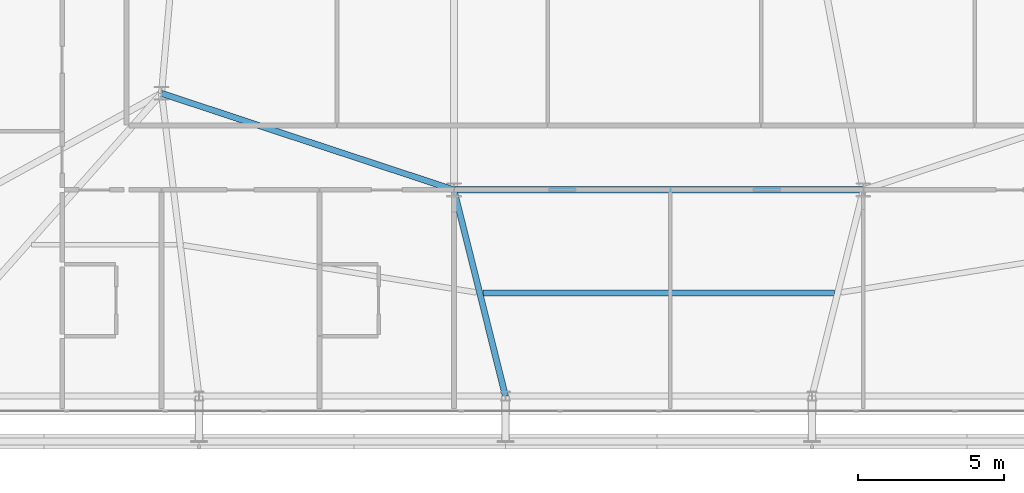
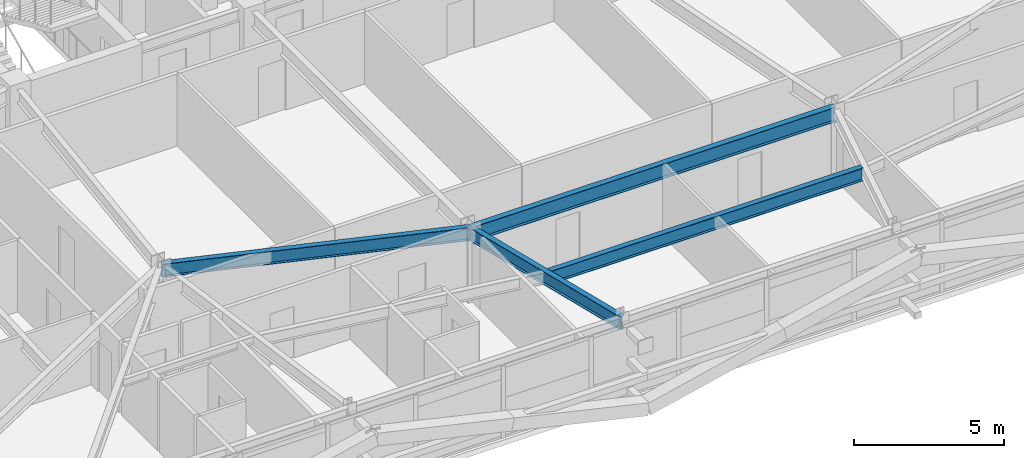
# One storey, part 13 of 58: 4 beams.
"""IFC4 building model written with IfcOpenShell, lengths in metres."""

from ifc_helpers import new_model, si_unit, direction, frame, origin, origin_2d, place, context, subcontext, project, spatial, i_section, extrude, source, transform, mapped, material, material_profile, profile_set, type_object, element, save


model = new_model("IFC4")

# Units and contexts
model_context = context("Model", 3, precision=1e-05, world=origin(), true_north=direction((0.0, 1.0)))
body_context = subcontext(model_context, "Body", "Model", "MODEL_VIEW")
ifc_project = project(units=[si_unit("LENGTHUNIT", "METRE"), si_unit("AREAUNIT", "SQUARE_METRE"), si_unit("VOLUMEUNIT", "CUBIC_METRE"), si_unit("PLANEANGLEUNIT", "RADIAN"), si_unit("MASSUNIT", "GRAM", prefix="KILO")], contexts=[model_context])

# Site, building, storey
site_placement = place(None, origin())
site = spatial("IfcSite", under=ifc_project, at=site_placement, CompositionType="ELEMENT")
building_placement = place(site_placement, origin())
building = spatial("IfcBuilding", under=site, at=building_placement, Name="Taldren Reach Tower", CompositionType="ELEMENT")
storey_placement = place(building_placement, frame((0.0, 0.0, 35.699951171875)))
storey = spatial("IfcBuildingStorey", under=building, at=storey_placement, Name="L10", CompositionType="ELEMENT", Elevation=35.699951171875)

# Beams
ifc_material = material(Name="Steel Gr 350 (350PLUS)", Category="steel")
ifc_material_profile_1 = material_profile(ifc_material, i_section(OverallWidth=0.208984375, OverallDepth=0.532958984375, WebThickness=0.01025390625, FlangeThickness=0.015625, at=origin_2d()), Name="530UB92.4")
ifc_profile_set_1 = profile_set([ifc_material_profile_1], Name="Steel Gr 350 (350PLUS)")
beam_type_1 = type_object("IfcBeamType", Name="BM-UB530A", PredefinedType="BEAM", material=ifc_profile_set_1)
shared_shape_1 = source(origin(), body_context, "Body", "SweptSolid", [
    extrude(i_section(OverallWidth=0.208984375, OverallDepth=0.532958984375, WebThickness=0.01025390625, FlangeThickness=0.015625, at=origin_2d()), origin(), (0.0, 0.0, 1.0), 10.530517578125),
])
beam_1_placement = place(storey_placement, frame((18.0, 12.5, 2.66357421875), z_axis=(0.949627269203, -0.313381635689, 0.0), x_axis=(0.313381635689, 0.949627269203, 0.0)))
element("IfcBeam", 1, at=beam_1_placement, inside=storey, type_object=beam_type_1, Name="Core-spine girder L10-SP10", PredefinedType="BEAM", context=body_context, shape_type="MappedRepresentation", body=[
    mapped(shared_shape_1, transform((0.0, 0.0, 0.0), scale=1.0)),
])
ifc_material_profile_2 = material_profile(ifc_material, i_section(OverallWidth=0.22802734375, OverallDepth=0.60205078125, WebThickness=0.010498046875, FlangeThickness=0.014892578125, at=origin_2d()), Name="610UB101")
ifc_profile_set_2 = profile_set([ifc_material_profile_2], Name="Steel Gr 350 (350PLUS)")
beam_type_2 = type_object("IfcBeamType", Name="BM-UB610B", PredefinedType="BEAM", material=ifc_profile_set_2)
shared_shape_2 = source(origin(), body_context, "Body", "SweptSolid", [
    extrude(i_section(OverallWidth=0.22802734375, OverallDepth=0.60205078125, WebThickness=0.010498046875, FlangeThickness=0.014892578125, at=origin_2d()), origin(), (0.0, 0.0, 1.0), 14.0),
])
beam_2_placement = place(storey_placement, frame((28.0, 9.199951171875, 2.629150390625), z_axis=(1.0, 0.0, 0.0), x_axis=(0.0, 1.0, 0.0)))
element("IfcBeam", 2, at=beam_2_placement, inside=storey, type_object=beam_type_2, Name="Core-spine girder L10-SP11", PredefinedType="BEAM", context=body_context, shape_type="MappedRepresentation", body=[
    mapped(shared_shape_2, transform((0.0, 0.0, 0.0), scale=1.0)),
])
shared_shape_3 = source(origin(), body_context, "Body", "SweptSolid", [
    extrude(i_section(OverallWidth=0.208984375, OverallDepth=0.532958984375, WebThickness=0.01025390625, FlangeThickness=0.015625, at=origin_2d()), origin(), (0.0, 0.0, 1.0), 7.266357421875),
])
beam_3_placement = place(storey_placement, frame((28.0, 9.199951171875, 2.66357421875), z_axis=(0.24221148493, -0.970223477642, 0.0), x_axis=(0.970223477642, 0.24221148493, 0.0)))
element("IfcBeam", 3, at=beam_3_placement, inside=storey, type_object=beam_type_1, Name="Primary floor girder B1-S3 L10", PredefinedType="BEAM", context=body_context, shape_type="MappedRepresentation", body=[
    mapped(shared_shape_3, transform((0.0, 0.0, 0.0), scale=1.0)),
])
shared_shape_4 = source(origin(), body_context, "Body", "SweptSolid", [
    extrude(i_section(OverallWidth=0.208984375, OverallDepth=0.532958984375, WebThickness=0.01025390625, FlangeThickness=0.015625, at=origin_2d()), origin(), (0.0, 0.0, 1.0), 12.0244140625),
])
beam_4_placement = place(storey_placement, frame((28.98779296875, 5.675048828125, 2.66357421875), z_axis=(1.0, 0.0, 0.0), x_axis=(0.0, 1.0, 0.0)))
element("IfcBeam", 4, at=beam_4_placement, inside=storey, type_object=beam_type_1, Name="Secondary floor beam B1 J3 L10", PredefinedType="BEAM", context=body_context, shape_type="MappedRepresentation", body=[
    mapped(shared_shape_4, transform((0.0, 0.0, 0.0), scale=1.0)),
])

save(model, "model.ifc")
